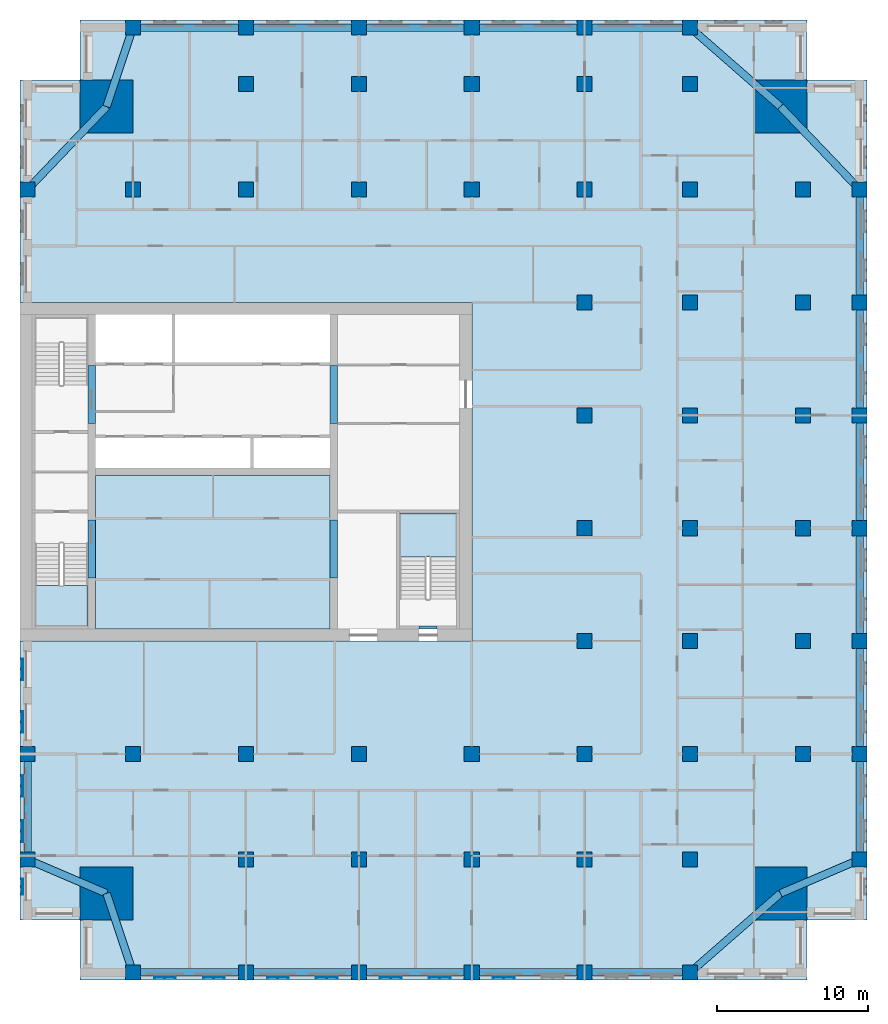
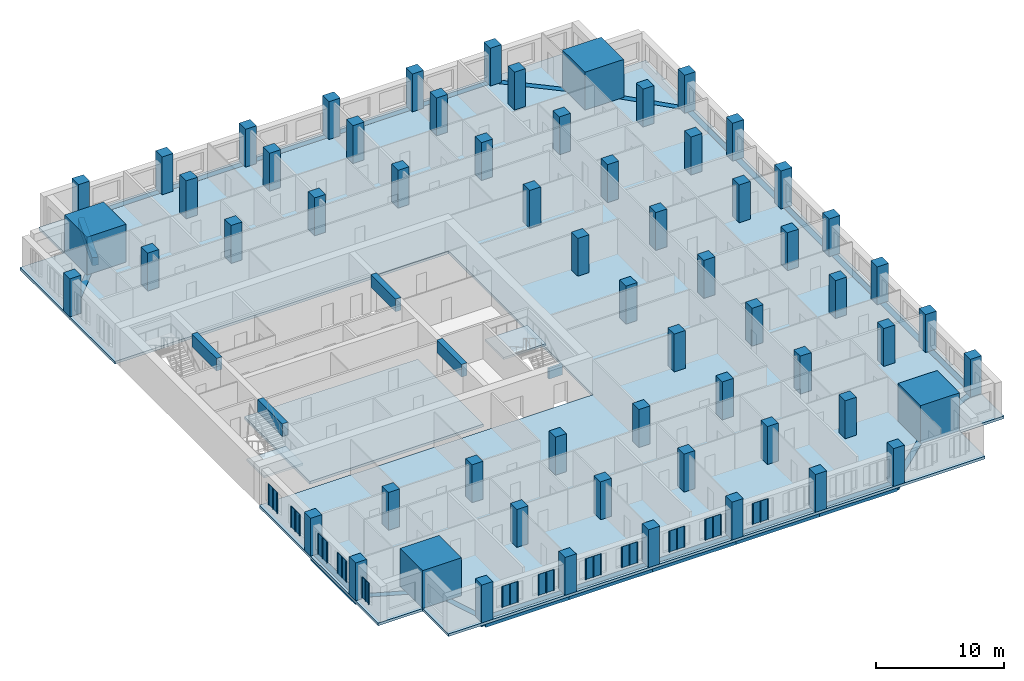
# One storey, part 1 of 13: 62 columns, 30 beams, 12 plates, 4 slabs, 2 elements without a shape of their own.
"""IFC4 building model written with IfcOpenShell, lengths in metres."""

from ifc_helpers import new_model, si_unit, direction, frame, origin, origin_2d, place, context, subcontext, project, spatial, polyline, rectangle, outline, extrude, material, layer, layer_set, material_profile, profile_set, type_object, element, aggregate, save


model = new_model("IFC4")

# Units and contexts
model_context = context("Model", 3, precision=1e-05, world=origin(), true_north=direction((0.0, 1.0)))
body_context = subcontext(model_context, "Body", "Model", "MODEL_VIEW")
ifc_project = project(units=[si_unit("LENGTHUNIT", "METRE"), si_unit("AREAUNIT", "SQUARE_METRE"), si_unit("VOLUMEUNIT", "CUBIC_METRE"), si_unit("PLANEANGLEUNIT", "RADIAN"), si_unit("MASSUNIT", "GRAM", prefix="KILO")], contexts=[model_context])

# Site, building, storey
site_placement = place(None, origin())
site = spatial("IfcSite", under=ifc_project, at=site_placement, CompositionType="ELEMENT")
building_placement = place(site_placement, origin())
building = spatial("IfcBuilding", under=site, at=building_placement, Name="Tamorin Gate", CompositionType="ELEMENT")
storey_placement = place(building_placement, frame((0.0, 0.0, 144.60009765625)))
storey = spatial("IfcBuildingStorey", under=building, at=storey_placement, Name="L35", CompositionType="ELEMENT", Elevation=144.60009765625)

# Columns
ifc_material_1 = material(Name="Concrete C70/85", Category="concrete")
ifc_material_profile_1 = material_profile(ifc_material_1, rectangle(XDim=1.0, YDim=1.0, at=origin_2d()), Name="RC 1000x1000")
ifc_profile_set_1 = profile_set([ifc_material_profile_1], Name="Concrete C70/85")
column_type_1 = type_object("IfcColumnType", Name="RC column 1000x1000 C70/85", PredefinedType="COLUMN", material=ifc_profile_set_1)
for number, where, z_axis, x_axis, name in (
    (1, (85.75, 45.5, 0.0), (0.0, 0.0, 1.0), (1.0, 0.0, 0.0), "Ring column L35"),
    (2, (85.75, 52.5, 0.0), (0.0, 0.0, 1.0), (1.0, 0.0, 0.0), "Ring column L35"),
    (3, (85.75, 60.0, 0.0), (0.0, 0.0, 1.0), (1.0, 0.0, 0.0), "Ring column L35"),
    (4, (85.75, 67.5, 0.0), (0.0, 0.0, 1.0), (1.0, 0.0, 0.0), "Ring column L35"),
    (5, (85.75, 75.0, 0.0), (0.0, 0.0, 1.0), (1.0, 0.0, 0.0), "Ring column L35"),
    (6, (85.75, 82.5, 0.0), (0.0, 0.0, 1.0), (1.0, 0.0, 0.0), "Ring column L35"),
    (7, (85.75, 90.0, 0.0), (0.0, 0.0, 1.0), (1.0, 0.0, 0.0), "Ring column L35"),
    (8, (37.5, 100.75, 0.0), (0.0, 0.0, 1.0), (1.0, 0.0, 0.0), "Ring column L35"),
    (9, (45.0, 100.75, 0.0), (0.0, 0.0, 1.0), (1.0, 0.0, 0.0), "Ring column L35"),
    (10, (52.5, 100.75, 0.0), (0.0, 0.0, 1.0), (1.0, 0.0, 0.0), "Ring column L35"),
    (11, (60.0, 100.75, 0.0), (0.0, 0.0, 1.0), (1.0, 0.0, 0.0), "Ring column L35"),
    (12, (67.5, 100.75, 0.0), (0.0, 0.0, 1.0), (1.0, 0.0, 0.0), "Ring column L35"),
    (13, (74.5, 100.75, 0.0), (0.0, 0.0, 1.0), (1.0, 0.0, 0.0), "Ring column L35"),
    (14, (30.5, 45.5, 0.0), (0.0, 0.0, 1.0), (1.0, 0.0, 0.0), "Ring column L35"),
    (15, (30.5, 52.5, 0.0), (0.0, 0.0, 1.0), (1.0, 0.0, 0.0), "Ring column L35"),
    (16, (30.5, 90.0, 0.0), (0.0, 0.0, 1.0), (1.0, 0.0, 0.0), "Ring column L35"),
    (17, (37.5, 38.0, 0.0), (0.0, 0.0, 1.0), (1.0, 0.0, 0.0), "Ring column L35"),
    (18, (37.5, 52.5, 0.0), (0.0, 0.0, 1.0), (1.0, 0.0, 0.0), "Interior column L35"),
    (19, (37.5, 90.0, 0.0), (0.0, 0.0, 1.0), (1.0, 0.0, 0.0), "Interior column L35"),
    (20, (45.0, 38.0, 0.0), (0.0, 0.0, 1.0), (1.0, 0.0, 0.0), "Ring column L35"),
    (21, (45.0, 45.5, 0.0), (0.0, 0.0, 1.0), (1.0, 0.0, 0.0), "Interior column L35"),
    (22, (45.0, 52.5, 0.0), (0.0, 0.0, 1.0), (1.0, 0.0, 0.0), "Interior column L35"),
    (23, (45.0, 90.0, 0.0), (0.0, 0.0, 1.0), (1.0, 0.0, 0.0), "Interior column L35"),
    (24, (45.0, 97.0, 0.0), (0.0, 0.0, 1.0), (1.0, 0.0, 0.0), "Interior column L35"),
    (25, (52.5, 38.0, 0.0), (0.0, 0.0, 1.0), (1.0, 0.0, 0.0), "Ring column L35"),
    (26, (52.5, 45.5, 0.0), (0.0, 0.0, 1.0), (1.0, 0.0, 0.0), "Interior column L35"),
    (27, (52.5, 52.5, 0.0), (0.0, 0.0, 1.0), (1.0, 0.0, 0.0), "Interior column L35"),
    (28, (52.5, 90.0, 0.0), (0.0, 0.0, 1.0), (1.0, 0.0, 0.0), "Interior column L35"),
    (29, (52.5, 97.0, 0.0), (0.0, 0.0, 1.0), (1.0, 0.0, 0.0), "Interior column L35"),
    (30, (60.0, 38.0, 0.0), (0.0, 0.0, 1.0), (1.0, 0.0, 0.0), "Ring column L35"),
    (31, (60.0, 45.5, 0.0), (0.0, 0.0, 1.0), (1.0, 0.0, 0.0), "Interior column L35"),
    (32, (60.0, 52.5, 0.0), (0.0, 0.0, 1.0), (1.0, 0.0, 0.0), "Interior column L35"),
    (33, (60.0, 90.0, 0.0), (0.0, 0.0, 1.0), (1.0, 0.0, 0.0), "Interior column L35"),
    (34, (60.0, 97.0, 0.0), (0.0, 0.0, 1.0), (1.0, 0.0, 0.0), "Interior column L35"),
    (35, (67.5, 38.0, 0.0), (0.0, 0.0, 1.0), (1.0, 0.0, 0.0), "Ring column L35"),
    (36, (67.5, 45.5, 0.0), (0.0, 0.0, 1.0), (1.0, 0.0, 0.0), "Interior column L35"),
    (37, (67.5, 52.5, 0.0), (0.0, 0.0, 1.0), (1.0, 0.0, 0.0), "Interior column L35"),
    (38, (67.5, 60.0, 0.0), (0.0, 0.0, 1.0), (1.0, 0.0, 0.0), "Interior column L35"),
    (39, (67.5, 67.5, 0.0), (0.0, 0.0, 1.0), (1.0, 0.0, 0.0), "Interior column L35"),
    (40, (67.5, 75.0, 0.0), (0.0, 0.0, 1.0), (1.0, 0.0, 0.0), "Interior column L35"),
    (41, (67.5, 82.5, 0.0), (0.0, 0.0, 1.0), (1.0, 0.0, 0.0), "Interior column L35"),
    (42, (67.5, 90.0, 0.0), (0.0, 0.0, 1.0), (1.0, 0.0, 0.0), "Interior column L35"),
    (43, (67.5, 97.0, 0.0), (0.0, 0.0, 1.0), (1.0, 0.0, 0.0), "Interior column L35"),
    (44, (74.5, 38.0, 0.0), (0.0, 0.0, 1.0), (1.0, 0.0, 0.0), "Ring column L35"),
    (45, (74.5, 45.5, 0.0), (0.0, 0.0, 1.0), (1.0, 0.0, 0.0), "Interior column L35"),
    (46, (74.5, 52.5, 0.0), (0.0, 0.0, 1.0), (1.0, 0.0, 0.0), "Interior column L35"),
    (47, (74.5, 60.0, 0.0), (0.0, 0.0, 1.0), (1.0, 0.0, 0.0), "Interior column L35"),
    (48, (74.5, 67.5, 0.0), (0.0, 0.0, 1.0), (1.0, 0.0, 0.0), "Interior column L35"),
    (49, (74.5, 75.0, 0.0), (0.0, 0.0, 1.0), (1.0, 0.0, 0.0), "Interior column L35"),
    (50, (74.5, 82.5, 0.0), (0.0, 0.0, 1.0), (1.0, 0.0, 0.0), "Interior column L35"),
    (51, (74.5, 90.0, 0.0), (0.0, 0.0, 1.0), (1.0, 0.0, 0.0), "Interior column L35"),
    (52, (74.5, 97.0, 0.0), (0.0, 0.0, 1.0), (1.0, 0.0, 0.0), "Interior column L35"),
    (53, (82.0, 52.5, 0.0), (0.0, 0.0, 1.0), (1.0, 0.0, 0.0), "Interior column L35"),
    (54, (82.0, 60.0, 0.0), (0.0, 0.0, 1.0), (1.0, 0.0, 0.0), "Interior column L35"),
    (55, (82.0, 67.5, 0.0), (0.0, 0.0, 1.0), (1.0, 0.0, 0.0), "Interior column L35"),
    (56, (82.0, 75.0, 0.0), (0.0, 0.0, 1.0), (1.0, 0.0, 0.0), "Interior column L35"),
    (57, (82.0, 82.5, 0.0), (0.0, 0.0, 1.0), (1.0, 0.0, 0.0), "Interior column L35"),
    (58, (82.0, 90.0, 0.0), (0.0, 0.0, 1.0), (1.0, 0.0, 0.0), "Interior column L35"),
):
    element("IfcColumn", number, at=place(storey_placement, frame(where, z_axis=z_axis, x_axis=x_axis)), inside=storey, type_object=column_type_1, Name=name, PredefinedType="COLUMN", context=body_context, shape_type="SweptSolid", body=[
        extrude(rectangle(XDim=1.0, YDim=1.0, at=origin_2d()), origin(), (0.0, 0.0, 1.0), 3.599853515625),
    ])
ifc_material_profile_2 = material_profile(ifc_material_1, rectangle(XDim=3.5, YDim=3.5, at=origin_2d()), Name="RC 3500x3500")
ifc_profile_set_2 = profile_set([ifc_material_profile_2], Name="Concrete C70/85")
column_type_2 = type_object("IfcColumnType", Name="RC column 3500x3500 C70/85", PredefinedType="COLUMN", material=ifc_profile_set_2)
for number, where, z_axis, x_axis, name in (
    (59, (35.75, 43.25, 0.0), (0.0, 0.0, 1.0), (1.0, 0.0, 0.0), "Mega column SW L35"),
    (60, (80.5, 43.25, 0.0), (0.0, 0.0, 1.0), (1.0, 0.0, 0.0), "Mega column SE L35"),
    (61, (35.75, 95.5, 0.0), (0.0, 0.0, 1.0), (1.0, 0.0, 0.0), "Mega column NW L35"),
    (62, (80.5, 95.5, 0.0), (0.0, 0.0, 1.0), (1.0, 0.0, 0.0), "Mega column NE L35"),
):
    element("IfcColumn", number, at=place(storey_placement, frame(where, z_axis=z_axis, x_axis=x_axis)), inside=storey, type_object=column_type_2, Name=name, PredefinedType="COLUMN", context=body_context, shape_type="SweptSolid", body=[
        extrude(rectangle(XDim=3.5, YDim=3.5, at=origin_2d()), origin(), (0.0, 0.0, 1.0), 3.599853515625),
    ])

# Beams
ifc_material_2 = material(Name="Concrete C60/75", Category="concrete")
ifc_material_profile_3 = material_profile(ifc_material_2, rectangle(XDim=0.5, YDim=1.199951171875, at=origin_2d()), Name="RC 500x1200")
ifc_profile_set_3 = profile_set([ifc_material_profile_3], Name="Concrete C60/75")
beam_type_1 = type_object("IfcBeamType", Name="RC coupling beam 500x1200 C60/75", PredefinedType="BEAM", material=ifc_profile_set_3)
for number, where, z_axis, x_axis, name in (
    (63, (34.75, 64.199951171875, 3.0), (0.0, 1.0, 0.0), (-1.0, 0.0, 0.0), "Coupling beam L35"),
    (64, (34.75, 74.449951171875, 3.0), (0.0, 1.0, 0.0), (-1.0, 0.0, 0.0), "Coupling beam L35"),
    (65, (50.85009765625, 64.199951171875, 3.0), (0.0, 1.0, 0.0), (-1.0, 0.0, 0.0), "Coupling beam L35"),
    (66, (50.85009765625, 74.449951171875, 3.0), (0.0, 1.0, 0.0), (-1.0, 0.0, 0.0), "Coupling beam L35"),
):
    element("IfcBeam", number, at=place(storey_placement, frame(where, z_axis=z_axis, x_axis=x_axis)), inside=storey, type_object=beam_type_1, Name=name, PredefinedType="BEAM", context=body_context, shape_type="SweptSolid", body=[
        extrude(rectangle(XDim=0.5, YDim=1.199951171875, at=origin_2d()), origin(), (0.0, 0.0, 1.0), 3.85009765625),
    ])
ifc_material_3 = material(Name="Concrete C50/60", Category="concrete")
ifc_material_profile_4 = material_profile(ifc_material_3, rectangle(XDim=0.5, YDim=0.75, at=origin_2d()), Name="RC 500x750")
ifc_profile_set_4 = profile_set([ifc_material_profile_4], Name="Concrete C50/60")
beam_type_2 = type_object("IfcBeamType", Name="RC spandrel 500x750 C50/60", PredefinedType="BEAM", material=ifc_profile_set_4)
for number, where, z_axis, x_axis, name in (
    (67, (37.5, 38.0, -0.375), (1.0, 0.0, 0.0), (0.0, 1.0, 0.0), "Spandrel beam L35"),
    (68, (45.0, 38.0, -0.375), (1.0, 0.0, 0.0), (0.0, 1.0, 0.0), "Spandrel beam L35"),
    (69, (52.5, 38.0, -0.375), (1.0, 0.0, 0.0), (0.0, 1.0, 0.0), "Spandrel beam L35"),
    (70, (60.0, 38.0, -0.375), (1.0, 0.0, 0.0), (0.0, 1.0, 0.0), "Spandrel beam L35"),
):
    element("IfcBeam", number, at=place(storey_placement, frame(where, z_axis=z_axis, x_axis=x_axis)), inside=storey, type_object=beam_type_2, Name=name, PredefinedType="BEAM", context=body_context, shape_type="SweptSolid", body=[
        extrude(rectangle(XDim=0.5, YDim=0.75, at=origin_2d()), origin(), (0.0, 0.0, 1.0), 7.5),
    ])
for number, where, z_axis, x_axis, name in (
    (71, (67.5, 38.0, -0.375), (1.0, 0.0, 0.0), (0.0, 1.0, 0.0), "Spandrel beam L35"),
    (72, (85.75, 45.5, -0.375), (0.0, 1.0, 0.0), (-1.0, 0.0, 0.0), "Spandrel beam L35"),
):
    element("IfcBeam", number, at=place(storey_placement, frame(where, z_axis=z_axis, x_axis=x_axis)), inside=storey, type_object=beam_type_2, Name=name, PredefinedType="BEAM", context=body_context, shape_type="SweptSolid", body=[
        extrude(rectangle(XDim=0.5, YDim=0.75, at=origin_2d()), origin(), (0.0, 0.0, 1.0), 7.0),
    ])
for number, where, z_axis, x_axis, name in (
    (73, (85.75, 52.5, -0.375), (0.0, 1.0, 0.0), (-1.0, 0.0, 0.0), "Spandrel beam L35"),
    (74, (85.75, 60.0, -0.375), (0.0, 1.0, 0.0), (-1.0, 0.0, 0.0), "Spandrel beam L35"),
    (75, (85.75, 67.5, -0.375), (0.0, 1.0, 0.0), (-1.0, 0.0, 0.0), "Spandrel beam L35"),
    (76, (85.75, 75.0, -0.375), (0.0, 1.0, 0.0), (-1.0, 0.0, 0.0), "Spandrel beam L35"),
    (77, (85.75, 82.5, -0.375), (0.0, 1.0, 0.0), (-1.0, 0.0, 0.0), "Spandrel beam L35"),
):
    element("IfcBeam", number, at=place(storey_placement, frame(where, z_axis=z_axis, x_axis=x_axis)), inside=storey, type_object=beam_type_2, Name=name, PredefinedType="BEAM", context=body_context, shape_type="SweptSolid", body=[
        extrude(rectangle(XDim=0.5, YDim=0.75, at=origin_2d()), origin(), (0.0, 0.0, 1.0), 7.5),
    ])
beam_1_placement = place(storey_placement, frame((74.5, 100.75, -0.375), z_axis=(-1.0, 0.0, 0.0), x_axis=(0.0, -1.0, 0.0)))
element("IfcBeam", 78, at=beam_1_placement, inside=storey, type_object=beam_type_2, Name="Spandrel beam L35", PredefinedType="BEAM", context=body_context, shape_type="SweptSolid", body=[
    extrude(rectangle(XDim=0.5, YDim=0.75, at=origin_2d()), origin(), (0.0, 0.0, 1.0), 7.0),
])
for number, where, z_axis, x_axis, name in (
    (79, (67.5, 100.75, -0.375), (-1.0, 0.0, 0.0), (0.0, -1.0, 0.0), "Spandrel beam L35"),
    (80, (60.0, 100.75, -0.375), (-1.0, 0.0, 0.0), (0.0, -1.0, 0.0), "Spandrel beam L35"),
    (81, (52.5, 100.75, -0.375), (-1.0, 0.0, 0.0), (0.0, -1.0, 0.0), "Spandrel beam L35"),
    (82, (45.0, 100.75, -0.375), (-1.0, 0.0, 0.0), (0.0, -1.0, 0.0), "Spandrel beam L35"),
):
    element("IfcBeam", number, at=place(storey_placement, frame(where, z_axis=z_axis, x_axis=x_axis)), inside=storey, type_object=beam_type_2, Name=name, PredefinedType="BEAM", context=body_context, shape_type="SweptSolid", body=[
        extrude(rectangle(XDim=0.5, YDim=0.75, at=origin_2d()), origin(), (0.0, 0.0, 1.0), 7.5),
    ])
beam_2_placement = place(storey_placement, frame((30.5, 52.5, -0.375), z_axis=(0.0, -1.0, 0.0), x_axis=(1.0, 0.0, 0.0)))
element("IfcBeam", 83, at=beam_2_placement, inside=storey, type_object=beam_type_2, Name="Spandrel beam L35", PredefinedType="BEAM", context=body_context, shape_type="SweptSolid", body=[
    extrude(rectangle(XDim=0.5, YDim=0.75, at=origin_2d()), origin(), (0.0, 0.0, 1.0), 7.0),
])
beam_3_placement = place(storey_placement, frame((35.75, 43.25, -0.375), z_axis=(0.316227766017, -0.948683298051, 0.0), x_axis=(0.948683298051, 0.316227766017, 0.0)))
element("IfcBeam", 84, at=beam_3_placement, inside=storey, type_object=beam_type_2, Name="Corner tie beam L35", PredefinedType="BEAM", context=body_context, shape_type="SweptSolid", body=[
    extrude(rectangle(XDim=0.5, YDim=0.75, at=origin_2d()), origin(), (0.0, 0.0, 1.0), 5.533935546875),
])
for number, where, z_axis, x_axis, name in (
    (85, (35.75, 43.25, -0.375), (-0.919145030018, 0.393919298579, 0.0), (-0.393919298579, -0.919145030018, 0.0), "Corner tie beam L35"),
    (86, (80.5, 43.25, -0.375), (0.919145030018, 0.393919298579, 0.0), (-0.393919298579, 0.919145030018, 0.0), "Corner tie beam L35"),
):
    element("IfcBeam", number, at=place(storey_placement, frame(where, z_axis=z_axis, x_axis=x_axis)), inside=storey, type_object=beam_type_2, Name=name, PredefinedType="BEAM", context=body_context, shape_type="SweptSolid", body=[
        extrude(rectangle(XDim=0.5, YDim=0.75, at=origin_2d()), origin(), (0.0, 0.0, 1.0), 5.7119140625),
    ])
beam_4_placement = place(storey_placement, frame((80.5, 43.25, -0.375), z_axis=(-0.752576694707, -0.658504607869, 0.0), x_axis=(0.658504607869, -0.752576694707, 0.0)))
element("IfcBeam", 87, at=beam_4_placement, inside=storey, type_object=beam_type_2, Name="Corner tie beam L35", PredefinedType="BEAM", context=body_context, shape_type="SweptSolid", body=[
    extrude(rectangle(XDim=0.5, YDim=0.75, at=origin_2d()), origin(), (0.0, 0.0, 1.0), 7.97265625),
])
beam_5_placement = place(storey_placement, frame((35.75, 95.5, -0.375), z_axis=(0.316227766017, 0.948683298051, 0.0), x_axis=(-0.948683298051, 0.316227766017, 0.0)))
element("IfcBeam", 88, at=beam_5_placement, inside=storey, type_object=beam_type_2, Name="Corner tie beam L35", PredefinedType="BEAM", context=body_context, shape_type="SweptSolid", body=[
    extrude(rectangle(XDim=0.5, YDim=0.75, at=origin_2d()), origin(), (0.0, 0.0, 1.0), 5.533935546875),
])
for number, where, z_axis, x_axis, name in (
    (89, (35.75, 95.5, -0.375), (-0.690475746683, -0.723355544144, 0.0), (0.723355544144, -0.690475746683, 0.0), "Corner tie beam L35"),
    (90, (80.5, 95.5, -0.375), (0.690475746683, -0.723355544144, 0.0), (0.723355544144, 0.690475746683, 0.0), "Corner tie beam L35"),
):
    element("IfcBeam", number, at=place(storey_placement, frame(where, z_axis=z_axis, x_axis=x_axis)), inside=storey, type_object=beam_type_2, Name=name, PredefinedType="BEAM", context=body_context, shape_type="SweptSolid", body=[
        extrude(rectangle(XDim=0.5, YDim=0.75, at=origin_2d()), origin(), (0.0, 0.0, 1.0), 7.603515625),
    ])
beam_6_placement = place(storey_placement, frame((80.5, 95.5, -0.375), z_axis=(-0.752576694707, 0.658504607869, 0.0), x_axis=(-0.658504607869, -0.752576694707, 0.0)))
element("IfcBeam", 91, at=beam_6_placement, inside=storey, type_object=beam_type_2, Name="Corner tie beam L35", PredefinedType="BEAM", context=body_context, shape_type="SweptSolid", body=[
    extrude(rectangle(XDim=0.5, YDim=0.75, at=origin_2d()), origin(), (0.0, 0.0, 1.0), 7.97265625),
])
ifc_material_profile_5 = material_profile(ifc_material_2, rectangle(XDim=0.199951171875, YDim=1.0, at=origin_2d()))
ifc_profile_set_5 = profile_set([ifc_material_profile_5], Name="Concrete C60/75")
beam_type_3 = type_object("IfcBeamType", Name="Stair lintel 200x1000 C60/75", PredefinedType="BEAM", material=ifc_profile_set_5)
beam_7_placement = place(storey_placement, frame((56.5, 60.89990234375, 2.699951171875), z_axis=(1.0, 0.0, 0.0), x_axis=(0.0, 1.0, 0.0)))
element("IfcBeam", 92, at=beam_7_placement, inside=storey, type_object=beam_type_3, Name="Stair lintel", PredefinedType="BEAM", context=body_context, shape_type="SweptSolid", body=[
    extrude(rectangle(XDim=0.199951171875, YDim=1.0, at=origin_2d()), origin(), (0.0, 0.0, 1.0), 1.199951171875),
])

# Slab
ifc_material_4 = material(Name="Concrete C40/50", Category="concrete")
ifc_layer_1 = layer(ifc_material_4, 0.25)
ifc_layer_set_1 = layer_set([ifc_layer_1], Name="Core floor slab 250 C40/50")
slab_type_1 = type_object("IfcSlabType", Name="Core floor slab 250 C40/50", PredefinedType="FLOOR", material=ifc_layer_set_1)
slab_1_placement = place(storey_placement, frame((0.0, 0.0, -0.25)))
element("IfcSlab", 93, at=slab_1_placement, inside=storey, type_object=slab_type_1, Name="Core floor L35", PredefinedType="FLOOR", context=body_context, shape_type="SweptSolid", body=[
    extrude(outline(polyline([(50.60009765625, 71.0), (50.60009765625, 60.800048828125), (35.0, 60.800048828125), (35.0, 71.0), (50.60009765625, 71.0)])), origin(), (0.0, 0.0, 1.0), 0.25),
])

# Stair, slab
stair_type = type_object("IfcStairType", Name="Exit stair", PredefinedType="HALF_TURN_STAIR", material=ifc_material_4)
stair_1_placement = place(storey_placement, origin())
stair_1 = element("IfcStair", 94, at=stair_1_placement, inside=storey, type_object=stair_type, Name="L35 stair ST1", PredefinedType="HALF_TURN_STAIR")
ifc_layer_2 = layer(ifc_material_4, 0.199951171875)
ifc_layer_set_2 = layer_set([ifc_layer_2], Name="Exit stair landing 200")
slab_type_2 = type_object("IfcSlabType", Name="Exit stair landing 200", PredefinedType="LANDING", material=ifc_layer_set_2)
slab_2_placement = place(storey_placement, frame((0.0, 0.0, 1.599853515625)))
slab_2 = element("IfcSlab", 95, at=slab_2_placement, type_object=slab_type_2, Name="ST1 landing 1", PredefinedType="LANDING", context=body_context, shape_type="SweptSolid", body=[
    extrude(outline(polyline([(31.0, 63.699951171875), (31.0, 61.0), (34.5, 61.0), (34.5, 63.699951171875), (31.0, 63.699951171875)])), origin(), (0.0, 0.0, 1.0), 0.199951171875),
])
aggregate(stair_1, [slab_2])

stair_2_placement = place(storey_placement, origin())
stair_2 = element("IfcStair", 96, at=stair_2_placement, inside=storey, type_object=stair_type, Name="L35 stair ST3", PredefinedType="HALF_TURN_STAIR")
slab_3_placement = place(storey_placement, frame((0.0, 0.0, 1.599853515625)))
slab_3 = element("IfcSlab", 97, at=slab_3_placement, type_object=slab_type_2, Name="ST3 landing 1", PredefinedType="LANDING", context=body_context, shape_type="SweptSolid", body=[
    extrude(outline(polyline([(59.0, 65.60009765625), (59.0, 68.5), (55.199951171875, 68.5), (55.199951171875, 65.60009765625), (59.0, 65.60009765625)])), origin(), (0.0, 0.0, 1.0), 0.199951171875),
])
aggregate(stair_2, [slab_3])

# Slab
ifc_layer_3 = layer(ifc_material_4, 0.25)
ifc_layer_set_3 = layer_set([ifc_layer_3], Name="Floor slab 250 C40/50")
slab_type_3 = type_object("IfcSlabType", Name="Floor slab 250 C40/50", PredefinedType="FLOOR", material=ifc_layer_set_3)
slab_4_placement = place(storey_placement, frame((0.0, 0.0, -0.25)))
element("IfcSlab", 98, at=slab_4_placement, inside=storey, type_object=slab_type_3, Name="Floor L35", PredefinedType="FLOOR", context=body_context, shape_type="SweptSolid", body=[
    extrude(outline(polyline([(30.0, 97.25), (34.0, 97.25), (34.0, 101.25), (82.25, 101.25), (82.25, 97.25), (86.25, 97.25), (86.25, 41.5), (82.25, 41.5), (82.25, 37.5), (34.0, 37.5), (34.0, 41.5), (30.0, 41.5), (30.0, 60.0), (60.0, 60.0), (60.0, 82.5), (30.0, 82.5), (30.0, 97.25)])), origin(), (0.0, 0.0, 1.0), 0.25),
])

# Plates
ifc_material_5 = material(Name="Perforated pale aluminium sheet", Category="aluminium")
ifc_layer_4 = layer(ifc_material_5, 0.0400390625)
ifc_layer_set_4 = layer_set([ifc_layer_4], Name="Pale metal solar screen 1080")
plate_type_1 = type_object("IfcPlateType", Name="Pale metal solar screen 1080", PredefinedType="SHEET", material=ifc_layer_set_4)
plate_1_placement = place(storey_placement, frame((0.0, 0.0, 0.7099609375)))
element("IfcPlate", 99, at=plate_1_placement, inside=storey, type_object=plate_type_1, Name="Perforated solar screen", PredefinedType="SHEET", context=body_context, shape_type="SweptSolid", body=[
    extrude(outline(polyline([(30.159912109375, 44.239990234375), (30.199951171875, 44.239990234375), (30.199951171875, 44.179931640625), (30.199951171875, 43.72998046875), (30.199951171875, 43.669921875), (30.199951171875, 43.219970703125), (30.199951171875, 43.159912109375), (30.159912109375, 43.159912109375), (30.10009765625, 43.159912109375), (30.10009765625, 43.219970703125), (30.159912109375, 43.219970703125), (30.159912109375, 43.669921875), (30.10009765625, 43.669921875), (30.10009765625, 43.72998046875), (30.159912109375, 43.72998046875), (30.159912109375, 44.179931640625), (30.10009765625, 44.179931640625), (30.10009765625, 44.239990234375), (30.159912109375, 44.239990234375)])), origin(), (0.0, 0.0, 1.0), 1.97998046875),
])
ifc_layer_5 = layer(ifc_material_5, 0.0400390625)
ifc_layer_set_5 = layer_set([ifc_layer_5], Name="Pale metal solar screen 1440")
plate_type_2 = type_object("IfcPlateType", Name="Pale metal solar screen 1440", PredefinedType="SHEET", material=ifc_layer_set_5)
plate_2_placement = place(storey_placement, frame((0.0, 0.0, 0.7099609375)))
element("IfcPlate", 100, at=plate_2_placement, inside=storey, type_object=plate_type_2, Name="Perforated solar screen", PredefinedType="SHEET", context=body_context, shape_type="SweptSolid", body=[
    extrude(outline(polyline([(38.905029296875, 37.659912109375), (38.905029296875, 37.699951171875), (38.965087890625, 37.699951171875), (39.594970703125, 37.699951171875), (39.655029296875, 37.699951171875), (40.284912109375, 37.699951171875), (40.344970703125, 37.699951171875), (40.344970703125, 37.699951171875), (40.344970703125, 37.659912109375), (40.344970703125, 37.659912109375), (40.344970703125, 37.60009765625), (40.284912109375, 37.60009765625), (40.284912109375, 37.659912109375), (39.655029296875, 37.659912109375), (39.655029296875, 37.60009765625), (39.594970703125, 37.60009765625), (39.594970703125, 37.659912109375), (38.965087890625, 37.659912109375), (38.965087890625, 37.60009765625), (38.905029296875, 37.60009765625), (38.905029296875, 37.659912109375)])), origin(), (0.0, 0.0, 1.0), 1.97998046875),
])
plate_3_placement = place(storey_placement, frame((0.0, 0.0, 0.7099609375)))
element("IfcPlate", 101, at=plate_3_placement, inside=storey, type_object=plate_type_2, Name="Perforated solar screen", PredefinedType="SHEET", context=body_context, shape_type="SweptSolid", body=[
    extrude(outline(polyline([(42.155029296875, 37.659912109375), (42.155029296875, 37.699951171875), (42.215087890625, 37.699951171875), (42.844970703125, 37.699951171875), (42.905029296875, 37.699951171875), (43.534912109375, 37.699951171875), (43.594970703125, 37.699951171875), (43.594970703125, 37.659912109375), (43.594970703125, 37.60009765625), (43.534912109375, 37.60009765625), (43.534912109375, 37.659912109375), (42.905029296875, 37.659912109375), (42.905029296875, 37.60009765625), (42.844970703125, 37.60009765625), (42.844970703125, 37.659912109375), (42.215087890625, 37.659912109375), (42.215087890625, 37.60009765625), (42.155029296875, 37.60009765625), (42.155029296875, 37.659912109375)])), origin(), (0.0, 0.0, 1.0), 1.97998046875),
])
plate_4_placement = place(storey_placement, frame((0.0, 0.0, 0.7099609375)))
element("IfcPlate", 102, at=plate_4_placement, inside=storey, type_object=plate_type_2, Name="Perforated solar screen", PredefinedType="SHEET", context=body_context, shape_type="SweptSolid", body=[
    extrude(outline(polyline([(46.405029296875, 37.659912109375), (46.405029296875, 37.699951171875), (46.465087890625, 37.699951171875), (47.094970703125, 37.699951171875), (47.155029296875, 37.699951171875), (47.784912109375, 37.699951171875), (47.844970703125, 37.699951171875), (47.844970703125, 37.659912109375), (47.844970703125, 37.60009765625), (47.784912109375, 37.60009765625), (47.784912109375, 37.659912109375), (47.155029296875, 37.659912109375), (47.155029296875, 37.60009765625), (47.094970703125, 37.60009765625), (47.094970703125, 37.659912109375), (46.465087890625, 37.659912109375), (46.465087890625, 37.60009765625), (46.405029296875, 37.60009765625), (46.405029296875, 37.659912109375)])), origin(), (0.0, 0.0, 1.0), 1.97998046875),
])
plate_5_placement = place(storey_placement, frame((0.0, 0.0, 0.7099609375)))
element("IfcPlate", 103, at=plate_5_placement, inside=storey, type_object=plate_type_2, Name="Perforated solar screen", PredefinedType="SHEET", context=body_context, shape_type="SweptSolid", body=[
    extrude(outline(polyline([(49.655029296875, 37.659912109375), (49.655029296875, 37.699951171875), (49.715087890625, 37.699951171875), (50.344970703125, 37.699951171875), (50.405029296875, 37.699951171875), (51.034912109375, 37.699951171875), (51.094970703125, 37.699951171875), (51.094970703125, 37.659912109375), (51.094970703125, 37.60009765625), (51.034912109375, 37.60009765625), (51.034912109375, 37.659912109375), (50.405029296875, 37.659912109375), (50.405029296875, 37.60009765625), (50.344970703125, 37.60009765625), (50.344970703125, 37.659912109375), (49.715087890625, 37.659912109375), (49.715087890625, 37.60009765625), (49.655029296875, 37.60009765625), (49.655029296875, 37.659912109375)])), origin(), (0.0, 0.0, 1.0), 1.97998046875),
])
plate_6_placement = place(storey_placement, frame((0.0, 0.0, 0.7099609375)))
element("IfcPlate", 104, at=plate_6_placement, inside=storey, type_object=plate_type_2, Name="Perforated solar screen", PredefinedType="SHEET", context=body_context, shape_type="SweptSolid", body=[
    extrude(outline(polyline([(53.905029296875, 37.659912109375), (53.905029296875, 37.699951171875), (53.965087890625, 37.699951171875), (54.594970703125, 37.699951171875), (54.655029296875, 37.699951171875), (55.284912109375, 37.699951171875), (55.344970703125, 37.699951171875), (55.344970703125, 37.659912109375), (55.344970703125, 37.60009765625), (55.284912109375, 37.60009765625), (55.284912109375, 37.659912109375), (54.655029296875, 37.659912109375), (54.655029296875, 37.60009765625), (54.594970703125, 37.60009765625), (54.594970703125, 37.659912109375), (53.965087890625, 37.659912109375), (53.965087890625, 37.60009765625), (53.905029296875, 37.60009765625), (53.905029296875, 37.659912109375)])), origin(), (0.0, 0.0, 1.0), 1.97998046875),
])
plate_7_placement = place(storey_placement, frame((0.0, 0.0, 0.7099609375)))
element("IfcPlate", 105, at=plate_7_placement, inside=storey, type_object=plate_type_2, Name="Perforated solar screen", PredefinedType="SHEET", context=body_context, shape_type="SweptSolid", body=[
    extrude(outline(polyline([(57.155029296875, 37.659912109375), (57.155029296875, 37.699951171875), (57.215087890625, 37.699951171875), (57.844970703125, 37.699951171875), (57.905029296875, 37.699951171875), (58.534912109375, 37.699951171875), (58.594970703125, 37.699951171875), (58.594970703125, 37.659912109375), (58.594970703125, 37.60009765625), (58.534912109375, 37.60009765625), (58.534912109375, 37.659912109375), (57.905029296875, 37.659912109375), (57.905029296875, 37.60009765625), (57.844970703125, 37.60009765625), (57.844970703125, 37.659912109375), (57.215087890625, 37.659912109375), (57.215087890625, 37.60009765625), (57.155029296875, 37.60009765625), (57.155029296875, 37.659912109375)])), origin(), (0.0, 0.0, 1.0), 1.97998046875),
])
plate_8_placement = place(storey_placement, frame((0.0, 0.0, 0.7099609375)))
element("IfcPlate", 106, at=plate_8_placement, inside=storey, type_object=plate_type_2, Name="Perforated solar screen", PredefinedType="SHEET", context=body_context, shape_type="SweptSolid", body=[
    extrude(outline(polyline([(61.405029296875, 37.659912109375), (61.405029296875, 37.699951171875), (61.465087890625, 37.699951171875), (62.094970703125, 37.699951171875), (62.155029296875, 37.699951171875), (62.784912109375, 37.699951171875), (62.844970703125, 37.699951171875), (62.844970703125, 37.659912109375), (62.844970703125, 37.60009765625), (62.784912109375, 37.60009765625), (62.784912109375, 37.659912109375), (62.155029296875, 37.659912109375), (62.155029296875, 37.60009765625), (62.094970703125, 37.60009765625), (62.094970703125, 37.659912109375), (61.465087890625, 37.659912109375), (61.465087890625, 37.60009765625), (61.405029296875, 37.60009765625), (61.405029296875, 37.659912109375)])), origin(), (0.0, 0.0, 1.0), 1.97998046875),
])
plate_9_placement = place(storey_placement, frame((0.0, 0.0, 0.7099609375)))
element("IfcPlate", 107, at=plate_9_placement, inside=storey, type_object=plate_type_2, Name="Perforated solar screen", PredefinedType="SHEET", context=body_context, shape_type="SweptSolid", body=[
    extrude(outline(polyline([(30.159912109375, 55.344970703125), (30.199951171875, 55.344970703125), (30.199951171875, 55.284912109375), (30.199951171875, 54.655029296875), (30.199951171875, 54.594970703125), (30.199951171875, 53.965087890625), (30.199951171875, 53.905029296875), (30.159912109375, 53.905029296875), (30.10009765625, 53.905029296875), (30.10009765625, 53.965087890625), (30.159912109375, 53.965087890625), (30.159912109375, 54.594970703125), (30.10009765625, 54.594970703125), (30.10009765625, 54.655029296875), (30.159912109375, 54.655029296875), (30.159912109375, 55.284912109375), (30.10009765625, 55.284912109375), (30.10009765625, 55.344970703125), (30.159912109375, 55.344970703125)])), origin(), (0.0, 0.0, 1.0), 1.97998046875),
])
plate_10_placement = place(storey_placement, frame((0.0, 0.0, 0.7099609375)))
element("IfcPlate", 108, at=plate_10_placement, inside=storey, type_object=plate_type_2, Name="Perforated solar screen", PredefinedType="SHEET", context=body_context, shape_type="SweptSolid", body=[
    extrude(outline(polyline([(30.159912109375, 58.844970703125), (30.199951171875, 58.844970703125), (30.199951171875, 58.784912109375), (30.199951171875, 58.155029296875), (30.199951171875, 58.094970703125), (30.199951171875, 57.465087890625), (30.199951171875, 57.405029296875), (30.159912109375, 57.405029296875), (30.10009765625, 57.405029296875), (30.10009765625, 57.465087890625), (30.159912109375, 57.465087890625), (30.159912109375, 58.094970703125), (30.10009765625, 58.094970703125), (30.10009765625, 58.155029296875), (30.159912109375, 58.155029296875), (30.159912109375, 58.784912109375), (30.10009765625, 58.784912109375), (30.10009765625, 58.844970703125), (30.159912109375, 58.844970703125)])), origin(), (0.0, 0.0, 1.0), 1.97998046875),
])
plate_11_placement = place(storey_placement, frame((0.0, 0.0, 0.7099609375)))
element("IfcPlate", 109, at=plate_11_placement, inside=storey, type_object=plate_type_2, Name="Perforated solar screen", PredefinedType="SHEET", context=body_context, shape_type="SweptSolid", body=[
    extrude(outline(polyline([(30.159912109375, 48.094970703125), (30.199951171875, 48.094970703125), (30.199951171875, 48.034912109375), (30.199951171875, 47.405029296875), (30.199951171875, 47.344970703125), (30.199951171875, 46.715087890625), (30.199951171875, 46.655029296875), (30.159912109375, 46.655029296875), (30.10009765625, 46.655029296875), (30.10009765625, 46.715087890625), (30.159912109375, 46.715087890625), (30.159912109375, 47.344970703125), (30.10009765625, 47.344970703125), (30.10009765625, 47.405029296875), (30.159912109375, 47.405029296875), (30.159912109375, 48.034912109375), (30.10009765625, 48.034912109375), (30.10009765625, 48.094970703125), (30.159912109375, 48.094970703125)])), origin(), (0.0, 0.0, 1.0), 1.97998046875),
])
plate_12_placement = place(storey_placement, frame((0.0, 0.0, 0.7099609375)))
element("IfcPlate", 110, at=plate_12_placement, inside=storey, type_object=plate_type_2, Name="Perforated solar screen", PredefinedType="SHEET", context=body_context, shape_type="SweptSolid", body=[
    extrude(outline(polyline([(30.159912109375, 51.094970703125), (30.199951171875, 51.094970703125), (30.199951171875, 51.034912109375), (30.199951171875, 50.405029296875), (30.199951171875, 50.344970703125), (30.199951171875, 49.715087890625), (30.199951171875, 49.655029296875), (30.159912109375, 49.655029296875), (30.10009765625, 49.655029296875), (30.10009765625, 49.715087890625), (30.159912109375, 49.715087890625), (30.159912109375, 50.344970703125), (30.10009765625, 50.344970703125), (30.10009765625, 50.405029296875), (30.159912109375, 50.405029296875), (30.159912109375, 51.034912109375), (30.10009765625, 51.034912109375), (30.10009765625, 51.094970703125), (30.159912109375, 51.094970703125)])), origin(), (0.0, 0.0, 1.0), 1.97998046875),
])

save(model, "model.ifc")
